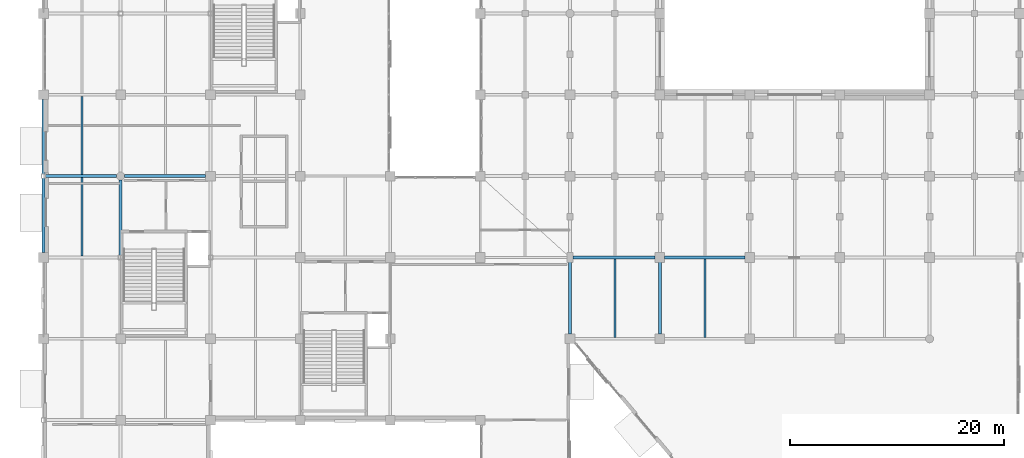
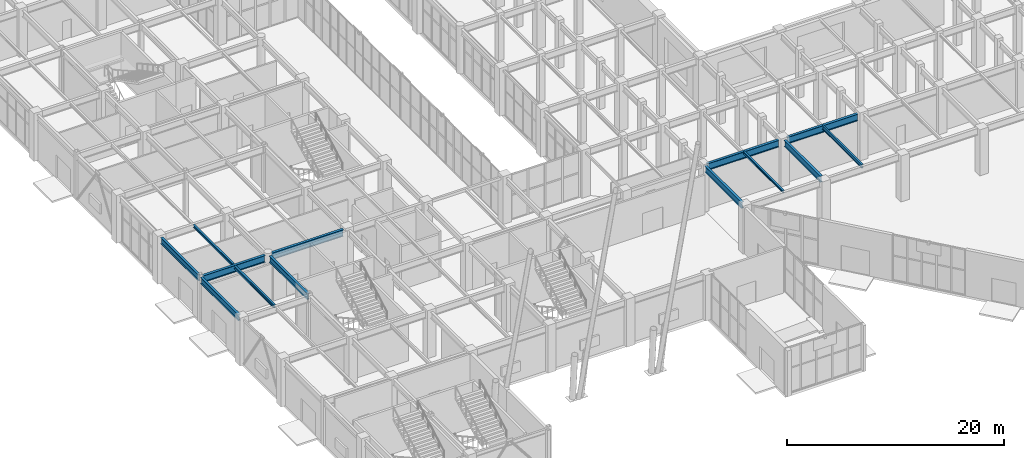
# One storey, part 17 of 139: 13 beams.
"""IFC4 building model written with IfcOpenShell, lengths in metres."""

from ifc_helpers import new_model, si_unit, direction, frame, origin, origin_2d, place, context, subcontext, project, spatial, i_section, extrude, material, material_profile, profile_set, type_object, element, save


model = new_model("IFC4")

# Units and contexts
model_context = context("Model", 3, precision=1e-05, world=origin(), true_north=direction((0.0, 1.0)))
body_context = subcontext(model_context, "Body", "Model", "MODEL_VIEW")
ifc_project = project(units=[si_unit("LENGTHUNIT", "METRE"), si_unit("AREAUNIT", "SQUARE_METRE"), si_unit("VOLUMEUNIT", "CUBIC_METRE"), si_unit("PLANEANGLEUNIT", "RADIAN"), si_unit("MASSUNIT", "GRAM", prefix="KILO")], contexts=[model_context])

# Site, building, storey
site_placement = place(None, origin())
site = spatial("IfcSite", under=ifc_project, at=site_placement, CompositionType="ELEMENT")
building_placement = place(site_placement, origin())
building = spatial("IfcBuilding", under=site, at=building_placement, Name="Xicomal Pleat Aquarium", CompositionType="ELEMENT")
storey_placement = place(building_placement, origin())
storey = spatial("IfcBuildingStorey", under=building, at=storey_placement, Name="L01", CompositionType="ELEMENT", Elevation=0.0)

# Beams
ifc_material_1 = material(Name="Structural steel A992 Gr 50", Category="steel")
ifc_material_profile_1 = material_profile(ifc_material_1, i_section(OverallWidth=0.201904296875, OverallDepth=0.2470703125, WebThickness=0.00732421875, FlangeThickness=0.010986328125, at=origin_2d()), Name="IR 250x49")
ifc_profile_set_1 = profile_set([ifc_material_profile_1], Name="Structural steel A992 Gr 50")
beam_type_1 = type_object("IfcBeamType", Name="BM-STL-IR250", PredefinedType="JOIST", material=ifc_profile_set_1)
beam_1_placement = place(storey_placement, frame((56.39990234375, 22.93701171875, 5.051513671875), z_axis=(0.0, 1.0, 0.0), x_axis=(-1.0, 0.0, 0.0)))
element("IfcBeam", 1, at=beam_1_placement, inside=storey, type_object=beam_type_1, Name="L01 framing beam FBJ-L01-07-D-1", PredefinedType="JOIST", context=body_context, shape_type="SweptSolid", body=[
    extrude(i_section(OverallWidth=0.201904296875, OverallDepth=0.2470703125, WebThickness=0.00732421875, FlangeThickness=0.010986328125, at=origin_2d()), origin(), (0.0, 0.0, 1.0), 7.325927734375),
])
ifc_material_2 = material(Name="Structural steel A992 Gr 50", Category="steel")
ifc_material_profile_2 = material_profile(ifc_material_2, i_section(OverallWidth=0.202880859375, OverallDepth=0.302978515625, WebThickness=0.007568359375, FlangeThickness=0.01318359375, at=origin_2d()), Name="IR 310x60")
ifc_profile_set_2 = profile_set([ifc_material_profile_2], Name="Structural steel A992 Gr 50")
beam_type_2 = type_object("IfcBeamType", Name="BM-STL-IR310", PredefinedType="JOIST", material=ifc_profile_set_2)
beam_2_placement = place(storey_placement, frame((6.60009765625, 38.136962890625, 5.008544921875), z_axis=(0.0, 1.0, 0.0), x_axis=(-1.0, 0.0, 0.0)))
element("IfcBeam", 2, at=beam_2_placement, inside=storey, type_object=beam_type_2, Name="L01 framing beam FBJ-L01-01-F-1", PredefinedType="JOIST", context=body_context, shape_type="SweptSolid", body=[
    extrude(i_section(OverallWidth=0.202880859375, OverallDepth=0.302978515625, WebThickness=0.007568359375, FlangeThickness=0.01318359375, at=origin_2d()), origin(), (0.0, 0.0, 1.0), 7.325927734375),
])
ifc_material_3 = material(Name="Structural steel A992 Gr 50", Category="steel")
ifc_material_profile_3 = material_profile(ifc_material_3, i_section(OverallWidth=0.205078125, OverallDepth=0.35400390625, WebThickness=0.009521484375, FlangeThickness=0.016845703125, at=origin_2d()), Name="IR 360x79")
ifc_profile_set_3 = profile_set([ifc_material_profile_3], Name="Structural steel A992 Gr 50")
beam_type_3 = type_object("IfcBeamType", Name="BM-STL-IR360", PredefinedType="JOIST", material=ifc_profile_set_3)
beam_3_placement = place(storey_placement, frame((6.60009765625, 30.537109375, 4.962890625), z_axis=(0.0, 1.0, 0.0), x_axis=(-1.0, 0.0, 0.0)))
element("IfcBeam", 3, at=beam_3_placement, inside=storey, type_object=beam_type_3, Name="L01 framing beam FBJ-L01-01-E-1", PredefinedType="JOIST", context=body_context, shape_type="SweptSolid", body=[
    extrude(i_section(OverallWidth=0.205078125, OverallDepth=0.35400390625, WebThickness=0.009521484375, FlangeThickness=0.016845703125, at=origin_2d()), origin(), (0.0, 0.0, 1.0), 7.325927734375),
])
ifc_material_4 = material(Name="Structural steel A992 Gr 50", Category="steel")
ifc_material_profile_4 = material_profile(ifc_material_4, i_section(OverallWidth=0.180908203125, OverallDepth=0.4169921875, WebThickness=0.010986328125, FlangeThickness=0.018310546875, at=origin_2d()), Name="IR 410x85")
ifc_profile_set_4 = profile_set([ifc_material_profile_4], Name="Structural steel A992 Gr 50")
beam_type_4 = type_object("IfcBeamType", Name="BM-STL-IR410", PredefinedType="JOIST", material=ifc_profile_set_4)
beam_4_placement = place(storey_placement, frame((64.800048828125, 22.93701171875, 4.966552734375), z_axis=(0.0, 1.0, 0.0), x_axis=(-1.0, 0.0, 0.0)))
element("IfcBeam", 4, at=beam_4_placement, inside=storey, type_object=beam_type_4, Name="L01 framing beam FBJ-L01-08-D-1", PredefinedType="JOIST", context=body_context, shape_type="SweptSolid", body=[
    extrude(i_section(OverallWidth=0.180908203125, OverallDepth=0.4169921875, WebThickness=0.010986328125, FlangeThickness=0.018310546875, at=origin_2d()), origin(), (0.0, 0.0, 1.0), 7.325927734375),
])
ifc_material_5 = material(Name="Structural steel A992 Gr 50", Category="steel")
ifc_material_profile_5 = material_profile(ifc_material_5, i_section(OverallWidth=0.256103515625, OverallDepth=0.693115234375, WebThickness=0.014404296875, FlangeThickness=0.023681640625, at=origin_2d()), Name="IR 690x170")
ifc_profile_set_5 = profile_set([ifc_material_profile_5], Name="Structural steel A992 Gr 50")
beam_type_5 = type_object("IfcBeamType", Name="BM-STL-IR690", PredefinedType="BEAM", material=ifc_profile_set_5)
for number, where, z_axis, x_axis, name in (
    (5, (3.0, 30.844970703125, 4.79345703125), (0.0, 1.0, 0.0), (-1.0, 0.0, 0.0), "L01 framing beam FGY-L01-01-E-F"),
    (6, (3.0, 38.195068359375, 4.8134765625), (0.0, 1.0, 0.0), (-1.0, 0.0, 0.0), "L01 framing beam FGY-L01-01-F-G"),
):
    element("IfcBeam", number, at=place(storey_placement, frame(where, z_axis=z_axis, x_axis=x_axis)), inside=storey, type_object=beam_type_5, Name=name, PredefinedType="BEAM", context=body_context, shape_type="SweptSolid", body=[
        extrude(i_section(OverallWidth=0.256103515625, OverallDepth=0.693115234375, WebThickness=0.014404296875, FlangeThickness=0.023681640625, at=origin_2d()), origin(), (0.0, 0.0, 1.0), 6.9599609375),
    ])
beam_5_placement = place(storey_placement, frame((10.199951171875, 30.594970703125, 4.79345703125), z_axis=(0.0, 1.0, 0.0), x_axis=(-1.0, 0.0, 0.0)))
element("IfcBeam", 7, at=beam_5_placement, inside=storey, type_object=beam_type_5, Name="L01 framing beam FGY-L01-02-E-F", PredefinedType="BEAM", context=body_context, shape_type="SweptSolid", body=[
    extrude(i_section(OverallWidth=0.256103515625, OverallDepth=0.693115234375, WebThickness=0.014404296875, FlangeThickness=0.023681640625, at=origin_2d()), origin(), (0.0, 0.0, 1.0), 7.034912109375),
])
beam_6_placement = place(storey_placement, frame((52.199951171875, 23.2451171875, 4.82861328125), z_axis=(0.0, 1.0, 0.0), x_axis=(-1.0, 0.0, 0.0)))
element("IfcBeam", 8, at=beam_6_placement, inside=storey, type_object=beam_type_5, Name="L01 framing beam FGY-L01-07-D-E", PredefinedType="BEAM", context=body_context, shape_type="SweptSolid", body=[
    extrude(i_section(OverallWidth=0.256103515625, OverallDepth=0.693115234375, WebThickness=0.014404296875, FlangeThickness=0.023681640625, at=origin_2d()), origin(), (0.0, 0.0, 1.0), 6.85986328125),
])
beam_7_placement = place(storey_placement, frame((60.60009765625, 23.2451171875, 4.82861328125), z_axis=(0.0, 1.0, 0.0), x_axis=(-1.0, 0.0, 0.0)))
element("IfcBeam", 9, at=beam_7_placement, inside=storey, type_object=beam_type_5, Name="L01 framing beam FGY-L01-08-D-E", PredefinedType="BEAM", context=body_context, shape_type="SweptSolid", body=[
    extrude(i_section(OverallWidth=0.256103515625, OverallDepth=0.693115234375, WebThickness=0.014404296875, FlangeThickness=0.023681640625, at=origin_2d()), origin(), (0.0, 0.0, 1.0), 6.7099609375),
])
ifc_material_6 = material(Name="Structural steel A992 Gr 50", Category="steel")
ifc_material_profile_6 = material_profile(ifc_material_6, i_section(OverallWidth=0.26806640625, OverallDepth=0.77001953125, WebThickness=0.015625, FlangeThickness=0.025390625, at=origin_2d()), Name="IR 760x196")
ifc_profile_set_6 = profile_set([ifc_material_profile_6], Name="Structural steel A992 Gr 50")
beam_type_6 = type_object("IfcBeamType", Name="BM-STL-IR760", PredefinedType="BEAM", material=ifc_profile_set_6)
beam_8_placement = place(storey_placement, frame((52.4951171875, 30.39990234375, 4.715087890625), z_axis=(1.0, 0.0, 0.0), x_axis=(0.0, 1.0, 0.0)))
element("IfcBeam", 10, at=beam_8_placement, inside=storey, type_object=beam_type_6, Name="L01 framing beam FGX-L01-07-08-E", PredefinedType="BEAM", context=body_context, shape_type="SweptSolid", body=[
    extrude(i_section(OverallWidth=0.26806640625, OverallDepth=0.77001953125, WebThickness=0.015625, FlangeThickness=0.025390625, at=origin_2d()), origin(), (0.0, 0.0, 1.0), 7.659912109375),
])
beam_9_placement = place(storey_placement, frame((61.044921875, 30.39990234375, 4.715087890625), z_axis=(1.0, 0.0, 0.0), x_axis=(0.0, 1.0, 0.0)))
element("IfcBeam", 11, at=beam_9_placement, inside=storey, type_object=beam_type_6, Name="L01 framing beam FGX-L01-08-09-E", PredefinedType="BEAM", context=body_context, shape_type="SweptSolid", body=[
    extrude(i_section(OverallWidth=0.26806640625, OverallDepth=0.77001953125, WebThickness=0.015625, FlangeThickness=0.025390625, at=origin_2d()), origin(), (0.0, 0.0, 1.0), 7.510009765625),
])
beam_10_placement = place(storey_placement, frame((3.195068359375, 38.0, 4.7548828125), z_axis=(1.0, 0.0, 0.0), x_axis=(0.0, 1.0, 0.0)))
element("IfcBeam", 12, at=beam_10_placement, inside=storey, type_object=beam_type_6, Name="L01 framing beam FGX-L01-01-02-F", PredefinedType="BEAM", context=body_context, shape_type="SweptSolid", body=[
    extrude(i_section(OverallWidth=0.26806640625, OverallDepth=0.77001953125, WebThickness=0.015625, FlangeThickness=0.025390625, at=origin_2d()), origin(), (0.0, 0.0, 1.0), 6.635009765625),
])
beam_11_placement = place(storey_placement, frame((10.570068359375, 38.0, 4.7548828125), z_axis=(1.0, 0.0, 0.0), x_axis=(0.0, 1.0, 0.0)))
element("IfcBeam", 13, at=beam_11_placement, inside=storey, type_object=beam_type_6, Name="L01 framing beam FGX-L01-02-03-F", PredefinedType="BEAM", context=body_context, shape_type="SweptSolid", body=[
    extrude(i_section(OverallWidth=0.26806640625, OverallDepth=0.77001953125, WebThickness=0.015625, FlangeThickness=0.025390625, at=origin_2d()), origin(), (0.0, 0.0, 1.0), 7.5849609375),
])

save(model, "model.ifc")
